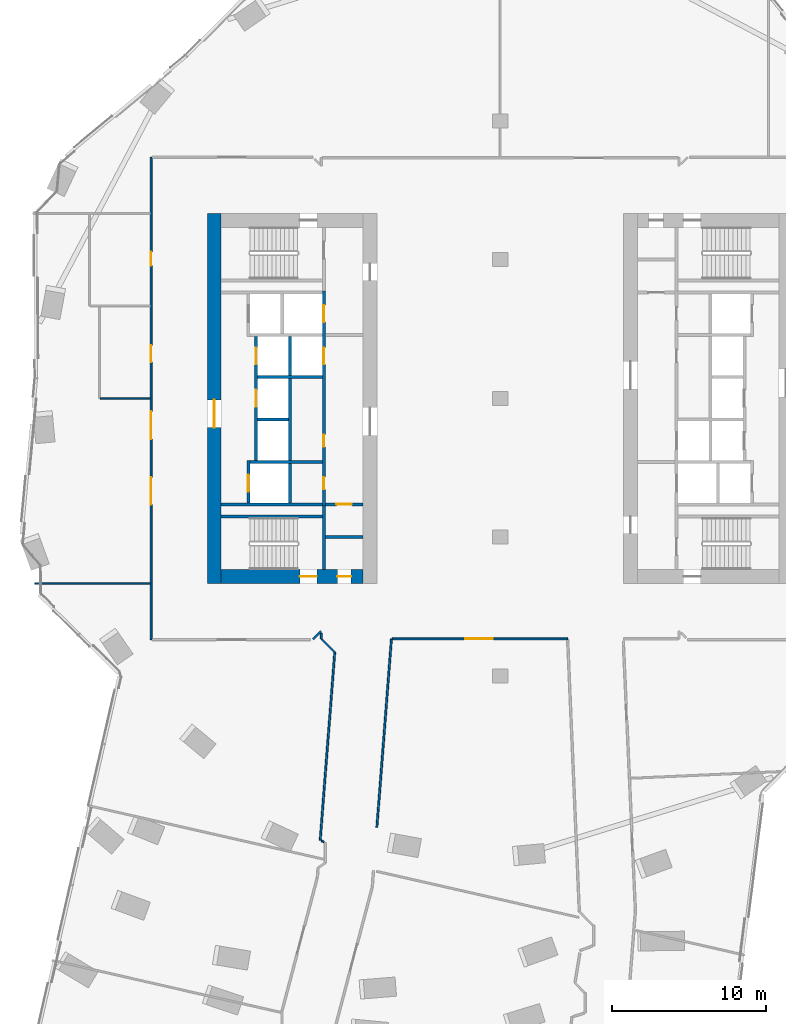
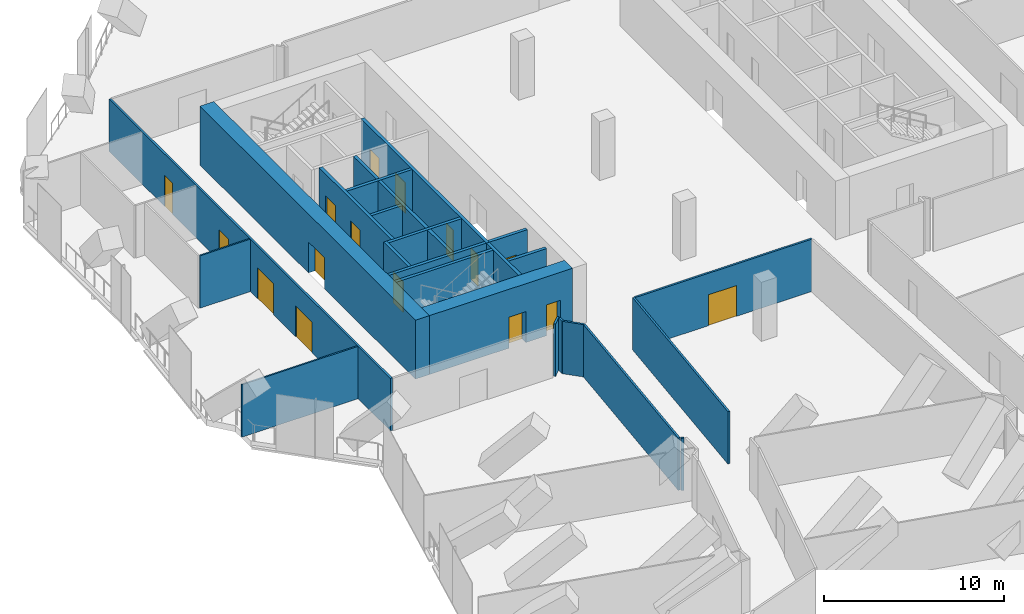
# One storey, part 22 of 29: 26 walls, 16 doors, 16 openings.
"""IFC4 building model written with IfcOpenShell, lengths in metres."""

from ifc_helpers import new_model, si_unit, direction, frame, frame_2d, origin, place, context, subcontext, project, spatial, rectangle, extrude, material, layer, layer_set, type_object, element, fill, save


model = new_model("IFC4")

# Units and contexts
model_context = context("Model", 3, precision=1e-05, world=origin(), true_north=direction((0.0, 1.0)))
body_context = subcontext(model_context, "Body", "Model", "MODEL_VIEW")
ifc_project = project(units=[si_unit("LENGTHUNIT", "METRE"), si_unit("AREAUNIT", "SQUARE_METRE"), si_unit("VOLUMEUNIT", "CUBIC_METRE"), si_unit("PLANEANGLEUNIT", "RADIAN"), si_unit("MASSUNIT", "GRAM", prefix="KILO")], contexts=[model_context])

# Site, building, storey
site_placement = place(None, origin())
site = spatial("IfcSite", under=ifc_project, at=site_placement, CompositionType="ELEMENT")
building_placement = place(site_placement, origin())
building = spatial("IfcBuilding", under=site, at=building_placement, Name="Orlundy Tower", CompositionType="ELEMENT")
storey_placement = place(building_placement, frame((0.0, 0.0, 184.60009765625)))
storey = spatial("IfcBuildingStorey", under=building, at=storey_placement, Name="L48", CompositionType="ELEMENT", Elevation=184.60009765625)

# Wall, openings, doors
ifc_material_1 = material(Name="Concrete C70/85", Category="concrete")
ifc_layer_1 = layer(ifc_material_1, 0.89990234375)
ifc_layer_set_1 = layer_set([ifc_layer_1], Name="CORE WALL 900 C70/85")
wall_type_1 = type_object("IfcWallType", Name="CORE WALL 900 C70/85", PredefinedType="SHEAR", material=ifc_layer_set_1)
wall_1_placement = place(storey_placement, frame((-18.10009765625, -11.550048828125, 0.0), z_axis=(0.0, 0.0, 1.0), x_axis=(1.0, 0.0, 0.0)))
wall_1 = element("IfcWall", 1, at=wall_1_placement, inside=storey, type_object=wall_type_1, Name="Core wall W-S L48", PredefinedType="SHEAR", context=body_context, shape_type="SweptSolid", body=[
    extrude(rectangle(XDim=9.2001953125, YDim=0.89990234375, at=frame_2d((4.60009765625, 0.0))), origin(), (0.0, 0.0, 1.0), 4.0),
])
opening_1_placement = place(wall_1_placement, frame((5.10009765625, 0.0, 0.0)))
opening_1 = element("IfcOpeningElement", 2, at=opening_1_placement, cuts=wall_1, Name="Opening 37013", PredefinedType="OPENING", context=body_context, shape_type="SweptSolid", body=[
    extrude(rectangle(XDim=1.10009765625, YDim=2.10009765625, at=frame_2d((0.550048828125, 1.050048828125))), frame((0.0, 0.4599609375, 0.0), z_axis=(0.0, -1.0, 0.0), x_axis=(1.0, 0.0, 0.0)), (0.0, 0.0, 1.0), 0.919921875),
])
opening_2_placement = place(wall_1_placement, frame((7.530029296875, 0.0, 0.0)))
opening_2 = element("IfcOpeningElement", 3, at=opening_2_placement, cuts=wall_1, Name="Opening 37015", PredefinedType="OPENING", context=body_context, shape_type="SweptSolid", body=[
    extrude(rectangle(XDim=0.89990234375, YDim=2.10009765625, at=frame_2d((0.449951171875, 1.050048828125))), frame((0.0, 0.4599609375, 0.0), z_axis=(0.0, -1.0, 0.0), x_axis=(1.0, 0.0, 0.0)), (0.0, 0.0, 1.0), 0.919921875),
])
ifc_material_2 = material(Name="Timber door set", Category="wood")
door_type_1 = type_object("IfcDoorType", Name="Room Door 900x2100", OperationType="SINGLE_SWING_LEFT", PredefinedType="DOOR", material=ifc_material_2)
door_1_placement = place(opening_2_placement, origin())
door_1 = element("IfcDoor", 4, at=door_1_placement, inside=storey, type_object=door_type_1, Name="Store door 37015", OperationType="SINGLE_SWING_RIGHT", OverallHeight=2.10009765625, OverallWidth=0.89990234375, PredefinedType="DOOR", context=body_context, shape_type="SweptSolid", body=[
    extrude(rectangle(XDim=0.89990234375, YDim=2.10009765625, at=frame_2d((0.449951171875, 1.050048828125))), frame((0.0, 0.02490234375, 0.0), z_axis=(0.0, -1.0, 0.0), x_axis=(1.0, 0.0, 0.0)), (0.0, 0.0, 1.0), 0.050048828125),
])
fill(opening_2, door_1)
ifc_material_3 = material(Name="Steel door set", Category="steel")
door_type_2 = type_object("IfcDoorType", Name="Stair Door 1100x2100", OperationType="SINGLE_SWING_LEFT", PredefinedType="DOOR", material=ifc_material_3)
door_2_placement = place(opening_1_placement, origin())
door_2 = element("IfcDoor", 5, at=door_2_placement, inside=storey, type_object=door_type_2, Name="Stair door 37013", OperationType="SINGLE_SWING_RIGHT", OverallHeight=2.10009765625, OverallWidth=1.10009765625, PredefinedType="DOOR", context=body_context, shape_type="SweptSolid", body=[
    extrude(rectangle(XDim=1.10009765625, YDim=2.10009765625, at=frame_2d((0.550048828125, 1.050048828125))), frame((0.0, 0.02490234375, 0.0), z_axis=(0.0, -1.0, 0.0), x_axis=(1.0, 0.0, 0.0)), (0.0, 0.0, 1.0), 0.050048828125),
])
fill(opening_1, door_2)

# Wall, opening, door
wall_2_placement = place(storey_placement, frame((-18.550048828125, -12.0, 0.0), z_axis=(0.0, 0.0, 1.0), x_axis=(0.0, 1.0, 0.0)))
wall_2 = element("IfcWall", 6, at=wall_2_placement, inside=storey, type_object=wall_type_1, Name="Core wall W-W L48", PredefinedType="SHEAR", context=body_context, shape_type="SweptSolid", body=[
    extrude(rectangle(XDim=24.0, YDim=0.89990234375, at=frame_2d((12.0, 0.0))), origin(), (0.0, 0.0, 1.0), 4.0),
])
opening_3_placement = place(wall_2_placement, frame((10.10009765625, 0.0, 0.0)))
opening_3 = element("IfcOpeningElement", 7, at=opening_3_placement, cuts=wall_2, Name="Opening 37010", PredefinedType="OPENING", context=body_context, shape_type="SweptSolid", body=[
    extrude(rectangle(XDim=1.800048828125, YDim=2.10009765625, at=frame_2d((0.89990234375, 1.050048828125))), frame((0.0, 0.4599609375, 0.0), z_axis=(0.0, -1.0, 0.0), x_axis=(1.0, 0.0, 0.0)), (0.0, 0.0, 1.0), 0.919921875),
])
ifc_material_4 = material(Name="Timber door set", Category="wood")
door_type_3 = type_object("IfcDoorType", Name="Lobby Door 1800x2100", OperationType="DOUBLE_DOOR_DOUBLE_SWING", PredefinedType="DOOR", material=ifc_material_4)
door_3_placement = place(opening_3_placement, origin())
door_3 = element("IfcDoor", 8, at=door_3_placement, inside=storey, type_object=door_type_3, Name="Lift lobby door 37010", OperationType="SINGLE_SWING_LEFT", OverallHeight=2.10009765625, OverallWidth=1.800048828125, PredefinedType="DOOR", context=body_context, shape_type="SweptSolid", body=[
    extrude(rectangle(XDim=1.800048828125, YDim=2.10009765625, at=frame_2d((0.89990234375, 1.050048828125))), frame((0.0, 0.02490234375, 0.0), z_axis=(0.0, -1.0, 0.0), x_axis=(1.0, 0.0, 0.0)), (0.0, 0.0, 1.0), 0.050048828125),
])
fill(opening_3, door_3)

# Walls
ifc_material_5 = material(Name="Gypsum board partition")
ifc_layer_2 = layer(ifc_material_5, 0.10009765625)
ifc_layer_set_2 = layer_set([ifc_layer_2], Name="Floor partition 100")
wall_type_2 = type_object("IfcWallType", Name="Floor partition 100", PredefinedType="PARTITIONING", material=ifc_layer_set_2)
wall_3_placement = place(storey_placement, frame((-30.179931640625, -12.0, 0.0), z_axis=(0.0, 0.0, 1.0), x_axis=(1.0, 0.0, 0.0)))
element("IfcWall", 9, at=wall_3_placement, inside=storey, type_object=wall_type_2, Name="wall-int-L48-038", PredefinedType="PARTITIONING", context=body_context, shape_type="SweptSolid", body=[
    extrude(rectangle(XDim=7.468017578125, YDim=0.10009765625, at=frame_2d((3.73388671875, 0.0))), origin(), (0.0, 0.0, 1.0), 3.559814453125),
])
wall_4_placement = place(storey_placement, frame((-25.930908203125, 0.0009765625, 0.0), z_axis=(0.0, 0.0, 1.0), x_axis=(1.0, 0.0, 0.0)))
element("IfcWall", 10, at=wall_4_placement, inside=storey, type_object=wall_type_2, Name="wall-int-L48-040", PredefinedType="PARTITIONING", context=body_context, shape_type="SweptSolid", body=[
    extrude(rectangle(XDim=3.218994140625, YDim=0.10009765625, at=frame_2d((1.609375, 0.0))), origin(), (0.0, 0.0, 1.0), 3.559814453125),
])
ifc_material_6 = material(Name="Gypsum board partition, double layer")
ifc_layer_3 = layer(ifc_material_6, 0.125)
ifc_layer_set_3 = layer_set([ifc_layer_3], Name="Floor partition 125")
wall_type_3 = type_object("IfcWallType", Name="Floor partition 125", PredefinedType="PARTITIONING", material=ifc_layer_set_3)
wall_5_placement = place(storey_placement, frame((-11.60107421875, -15.241943359375, 0.0), z_axis=(0.0, 0.0, 1.0), x_axis=(0.002726642898, -0.999996282702, 0.0)))
element("IfcWall", 11, at=wall_5_placement, inside=storey, type_object=wall_type_3, Name="wall-int-L48-001", PredefinedType="PARTITIONING", context=body_context, shape_type="SweptSolid", body=[
    extrude(rectangle(XDim=0.358154296875, YDim=0.125, at=frame_2d((0.17919921875, 0.0))), origin(), (0.0, 0.0, 1.0), 3.559814453125),
])
wall_6_placement = place(storey_placement, frame((-11.593994140625, -28.701904296875, 0.0), z_axis=(0.0, 0.0, 1.0), x_axis=(0.905065675152, -0.425271823264, 0.0)))
element("IfcWall", 12, at=wall_6_placement, inside=storey, type_object=wall_type_3, Name="wall-int-L48-010", PredefinedType="PARTITIONING", context=body_context, shape_type="SweptSolid", body=[
    extrude(rectangle(XDim=0.17919921875, YDim=0.125, at=frame_2d((0.089599609375, 0.0))), origin(), (0.0, 0.0, 1.0), 3.559814453125),
])
wall_7_placement = place(storey_placement, frame((-11.60009765625, -15.60009765625, 0.0), z_axis=(0.0, 0.0, 1.0), x_axis=(0.706410369808, -0.707802507361, 0.0)))
element("IfcWall", 13, at=wall_7_placement, inside=storey, type_object=wall_type_3, Name="wall-int-L48-035", PredefinedType="PARTITIONING", context=body_context, shape_type="SweptSolid", body=[
    extrude(rectangle(XDim=1.2275390625, YDim=0.125, at=frame_2d((0.61376953125, 0.0))), origin(), (0.0, 0.0, 1.0), 3.559814453125),
])

# Wall, opening, door
wall_8_placement = place(storey_placement, frame((4.3740234375, -15.60009765625, 0.0), z_axis=(0.0, 0.0, 1.0), x_axis=(-1.0, 0.0, 0.0)))
wall_8 = element("IfcWall", 14, at=wall_8_placement, inside=storey, type_object=wall_type_3, Name="wall-int-L48-036", PredefinedType="PARTITIONING", context=body_context, shape_type="SweptSolid", body=[
    extrude(rectangle(XDim=11.365966796875, YDim=0.125, at=frame_2d((5.68310546875, 0.0))), origin(), (0.0, 0.0, 1.0), 3.559814453125),
])
opening_4_placement = place(wall_8_placement, frame((4.85009765625, 0.0, 0.0)))
opening_4 = element("IfcOpeningElement", 15, at=opening_4_placement, cuts=wall_8, Name="Opening 37111", PredefinedType="OPENING", context=body_context, shape_type="SweptSolid", body=[
    extrude(rectangle(XDim=1.800048828125, YDim=2.10009765625, at=frame_2d((0.89990234375, 1.050048828125))), frame((0.0, 0.072509765625, 0.0), z_axis=(0.0, -1.0, 0.0), x_axis=(1.0, 0.0, 0.0)), (0.0, 0.0, 1.0), 0.14501953125),
])
ifc_material_7 = material(Name="Timber door leaf", Category="wood")
door_type_4 = type_object("IfcDoorType", Name="Floor door double 1800 FD30S", OperationType="NOTDEFINED", PredefinedType="DOOR", material=ifc_material_7)
door_4_placement = place(opening_4_placement, origin())
door_4 = element("IfcDoor", 16, at=door_4_placement, inside=storey, type_object=door_type_4, Name="Door 37111", OperationType="DOUBLE_DOOR_SINGLE_SWING", OverallHeight=2.10009765625, OverallWidth=1.800048828125, PredefinedType="DOOR", context=body_context, shape_type="SweptSolid", body=[
    extrude(rectangle(XDim=1.800048828125, YDim=2.10009765625, at=frame_2d((0.89990234375, 1.050048828125))), frame((0.0, 0.02490234375, 0.0), z_axis=(0.0, -1.0, 0.0), x_axis=(1.0, 0.0, 0.0)), (0.0, 0.0, 1.0), 0.050048828125),
])
fill(opening_4, door_4)

# Walls
wall_9_placement = place(storey_placement, frame((-12.153076171875, -15.631103515625, 0.0), z_axis=(0.0, 0.0, 1.0), x_axis=(0.707106781187, 0.707106781187, 0.0)))
element("IfcWall", 17, at=wall_9_placement, inside=storey, type_object=wall_type_3, Name="wall-int-L48-059", PredefinedType="PARTITIONING", context=body_context, shape_type="SweptSolid", body=[
    extrude(rectangle(XDim=0.7509765625, YDim=0.125, at=frame_2d((0.37548828125, 0.0))), origin(), (0.0, 0.0, 1.0), 3.559814453125),
])
wall_10_placement = place(storey_placement, frame((-8.0, -27.8291015625, 0.0), z_axis=(0.0, 0.0, 1.0), x_axis=(0.077130294649, 0.997021021668, 0.0)))
element("IfcWall", 18, at=wall_10_placement, inside=storey, type_object=wall_type_3, Name="wall-int-L48-078", PredefinedType="PARTITIONING", context=body_context, shape_type="SweptSolid", body=[
    extrude(rectangle(XDim=12.265625, YDim=0.125, at=frame_2d((6.1328125, 0.0))), origin(), (0.0, 0.0, 1.0), 3.559814453125),
])
wall_11_placement = place(storey_placement, frame((-11.677001953125, -28.6640625, 0.0), z_axis=(0.0, 0.0, 1.0), x_axis=(0.077184920093, 0.997016794297, 0.0)))
element("IfcWall", 19, at=wall_11_placement, inside=storey, type_object=wall_type_3, Name="wall-int-L48-079", PredefinedType="PARTITIONING", context=body_context, shape_type="SweptSolid", body=[
    extrude(rectangle(XDim=12.2314453125, YDim=0.125, at=frame_2d((6.11572265625, 0.0))), origin(), (0.0, 0.0, 1.0), 3.559814453125),
])

# Wall, openings, doors
wall_12_placement = place(storey_placement, frame((-22.64990234375, -15.65087890625, 0.0), z_axis=(0.0, 0.0, 1.0), x_axis=(0.0, 1.0, 0.0)))
wall_12 = element("IfcWall", 20, at=wall_12_placement, inside=storey, type_object=wall_type_3, Name="wall-int-L48-095", PredefinedType="PARTITIONING", context=body_context, shape_type="SweptSolid", body=[
    extrude(rectangle(XDim=31.3017578125, YDim=0.125, at=frame_2d((15.65087890625, 0.0))), origin(), (0.0, 0.0, 1.0), 3.559814453125),
])
opening_5_placement = place(wall_12_placement, frame((8.7509765625, 0.0, 0.0)))
opening_5 = element("IfcOpeningElement", 21, at=opening_5_placement, cuts=wall_12, Name="Opening 37108", PredefinedType="OPENING", context=body_context, shape_type="SweptSolid", body=[
    extrude(rectangle(XDim=1.800048828125, YDim=2.10009765625, at=frame_2d((0.89990234375, 1.050048828125))), frame((0.0, 0.072509765625, 0.0), z_axis=(0.0, -1.0, 0.0), x_axis=(1.0, 0.0, 0.0)), (0.0, 0.0, 1.0), 0.14501953125),
])
opening_6_placement = place(wall_12_placement, frame((13.0009765625, 0.0, 0.0)))
opening_6 = element("IfcOpeningElement", 22, at=opening_6_placement, cuts=wall_12, Name="Opening 37109", PredefinedType="OPENING", context=body_context, shape_type="SweptSolid", body=[
    extrude(rectangle(XDim=1.800048828125, YDim=2.10009765625, at=frame_2d((0.89990234375, 1.050048828125))), frame((0.0, 0.072509765625, 0.0), z_axis=(0.0, -1.0, 0.0), x_axis=(1.0, 0.0, 0.0)), (0.0, 0.0, 1.0), 0.14501953125),
])
opening_7_placement = place(wall_12_placement, frame((24.251953125, 0.0, 0.0)))
opening_7 = element("IfcOpeningElement", 23, at=opening_7_placement, cuts=wall_12, Name="Opening 37119", PredefinedType="OPENING", context=body_context, shape_type="SweptSolid", body=[
    extrude(rectangle(XDim=0.89990234375, YDim=2.10009765625, at=frame_2d((0.449951171875, 1.050048828125))), frame((0.0, 0.072509765625, 0.0), z_axis=(0.0, -1.0, 0.0), x_axis=(1.0, 0.0, 0.0)), (0.0, 0.0, 1.0), 0.14501953125),
])
opening_8_placement = place(wall_12_placement, frame((18.0029296875, 0.0, 0.0)))
opening_8 = element("IfcOpeningElement", 24, at=opening_8_placement, cuts=wall_12, Name="Opening 37120", PredefinedType="OPENING", context=body_context, shape_type="SweptSolid", body=[
    extrude(rectangle(XDim=1.10009765625, YDim=2.10009765625, at=frame_2d((0.550048828125, 1.050048828125))), frame((0.0, 0.072509765625, 0.0), z_axis=(0.0, -1.0, 0.0), x_axis=(1.0, 0.0, 0.0)), (0.0, 0.0, 1.0), 0.14501953125),
])
door_5_placement = place(opening_5_placement, origin())
door_5 = element("IfcDoor", 25, at=door_5_placement, inside=storey, type_object=door_type_4, Name="Door 37108", OperationType="DOUBLE_DOOR_SINGLE_SWING", OverallHeight=2.10009765625, OverallWidth=1.800048828125, PredefinedType="DOOR", context=body_context, shape_type="SweptSolid", body=[
    extrude(rectangle(XDim=1.800048828125, YDim=2.10009765625, at=frame_2d((0.89990234375, 1.050048828125))), frame((0.0, 0.02490234375, 0.0), z_axis=(0.0, -1.0, 0.0), x_axis=(1.0, 0.0, 0.0)), (0.0, 0.0, 1.0), 0.050048828125),
])
fill(opening_5, door_5)
door_6_placement = place(opening_6_placement, origin())
door_6 = element("IfcDoor", 26, at=door_6_placement, inside=storey, type_object=door_type_4, Name="Door 37109", OperationType="DOUBLE_DOOR_SINGLE_SWING", OverallHeight=2.10009765625, OverallWidth=1.800048828125, PredefinedType="DOOR", context=body_context, shape_type="SweptSolid", body=[
    extrude(rectangle(XDim=1.800048828125, YDim=2.10009765625, at=frame_2d((0.89990234375, 1.050048828125))), frame((0.0, 0.02490234375, 0.0), z_axis=(0.0, -1.0, 0.0), x_axis=(1.0, 0.0, 0.0)), (0.0, 0.0, 1.0), 0.050048828125),
])
fill(opening_6, door_6)
ifc_material_8 = material(Name="Timber door leaf", Category="wood")
door_type_5 = type_object("IfcDoorType", Name="Floor door single 900 FD30S", OperationType="NOTDEFINED", PredefinedType="DOOR", material=ifc_material_8)
door_7_placement = place(opening_7_placement, origin())
door_7 = element("IfcDoor", 27, at=door_7_placement, inside=storey, type_object=door_type_5, Name="Door 37119", OperationType="SINGLE_SWING_RIGHT", OverallHeight=2.10009765625, OverallWidth=0.89990234375, PredefinedType="DOOR", context=body_context, shape_type="SweptSolid", body=[
    extrude(rectangle(XDim=0.89990234375, YDim=2.10009765625, at=frame_2d((0.449951171875, 1.050048828125))), frame((0.0, 0.02490234375, 0.0), z_axis=(0.0, -1.0, 0.0), x_axis=(1.0, 0.0, 0.0)), (0.0, 0.0, 1.0), 0.050048828125),
])
fill(opening_7, door_7)
ifc_material_9 = material(Name="Timber door leaf", Category="wood")
door_type_6 = type_object("IfcDoorType", Name="Floor door xwide 1100 FD30S", OperationType="NOTDEFINED", PredefinedType="DOOR", material=ifc_material_9)
door_8_placement = place(opening_8_placement, origin())
door_8 = element("IfcDoor", 28, at=door_8_placement, inside=storey, type_object=door_type_6, Name="Door 37120", OperationType="SINGLE_SWING_RIGHT", OverallHeight=2.10009765625, OverallWidth=1.10009765625, PredefinedType="DOOR", context=body_context, shape_type="SweptSolid", body=[
    extrude(rectangle(XDim=1.10009765625, YDim=2.10009765625, at=frame_2d((0.550048828125, 1.050048828125))), frame((0.0, 0.02490234375, 0.0), z_axis=(0.0, -1.0, 0.0), x_axis=(1.0, 0.0, 0.0)), (0.0, 0.0, 1.0), 0.050048828125),
])
fill(opening_8, door_8)

# Walls
ifc_material_10 = material(Name="Concrete C40/50", Category="concrete")
ifc_layer_4 = layer(ifc_material_10, 0.199951171875)
ifc_layer_set_4 = layer_set([ifc_layer_4], Name="Load-bearing Shaft Wall 200")
wall_type_4 = type_object("IfcWallType", Name="Load-bearing Shaft Wall 200", PredefinedType="SOLIDWALL", material=ifc_layer_set_4)
wall_13_placement = place(storey_placement, frame((-11.43994140625, -11.10009765625, 0.0), z_axis=(0.0, 0.0, 1.0), x_axis=(0.0, 1.0, 0.0)))
element("IfcWall", 29, at=wall_13_placement, inside=storey, type_object=wall_type_4, Name="Shaft wall W37-stair-end-s", PredefinedType="SOLIDWALL", context=body_context, shape_type="SweptSolid", body=[
    extrude(rectangle(XDim=4.125, YDim=0.199951171875, at=frame_2d((2.0625, 0.0))), origin(), (0.0, 0.0, 1.0), 3.579833984375),
])
wall_14_placement = place(storey_placement, frame((-11.5400390625, -7.64990234375, 0.0), z_axis=(0.0, 0.0, 1.0), x_axis=(-1.0, 0.0, 0.0)))
element("IfcWall", 30, at=wall_14_placement, inside=storey, type_object=wall_type_4, Name="Shaft wall W37-stair-side-s", PredefinedType="SOLIDWALL", context=body_context, shape_type="SweptSolid", body=[
    extrude(rectangle(XDim=6.56005859375, YDim=0.199951171875, at=frame_2d((3.280029296875, 0.0))), origin(), (0.0, 0.0, 1.0), 3.579833984375),
])

# Wall, opening, door
ifc_material_11 = material(Name="Gypsum board partition on steel studs", Category="steel")
ifc_layer_5 = layer(ifc_material_11, 0.199951171875)
ifc_layer_set_5 = layer_set([ifc_layer_5], Name="Partition 200")
wall_type_5 = type_object("IfcWallType", Name="Partition 200", PredefinedType="PARTITIONING", material=ifc_layer_set_5)
wall_15_placement = place(storey_placement, frame((-8.89990234375, -6.875, 0.0), z_axis=(0.0, 0.0, 1.0), x_axis=(-1.0, 0.0, 0.0)))
wall_15 = element("IfcWall", 31, at=wall_15_placement, inside=storey, type_object=wall_type_5, Name="Partition wall W37-end-s", PredefinedType="PARTITIONING", context=body_context, shape_type="SweptSolid", body=[
    extrude(rectangle(XDim=2.440185546875, YDim=0.199951171875, at=frame_2d((1.22021484375, 0.0))), origin(), (0.0, 0.0, 1.0), 3.579833984375),
])
opening_9_placement = place(wall_15_placement, frame((0.719970703125, 0.0, 0.0)))
opening_9 = element("IfcOpeningElement", 32, at=opening_9_placement, cuts=wall_15, Name="Opening 37016", PredefinedType="OPENING", context=body_context, shape_type="SweptSolid", body=[
    extrude(rectangle(XDim=1.0, YDim=2.10009765625, at=frame_2d((0.5, 1.050048828125))), frame((0.0, 0.110107421875, 0.0), z_axis=(0.0, -1.0, 0.0), x_axis=(1.0, 0.0, 0.0)), (0.0, 0.0, 1.0), 0.22021484375),
])
ifc_material_12 = material(Name="Timber door set", Category="wood")
door_type_7 = type_object("IfcDoorType", Name="Accessible Door 1000x2100", OperationType="SINGLE_SWING_LEFT", PredefinedType="DOOR", material=ifc_material_12)
door_9_placement = place(opening_9_placement, origin())
door_9 = element("IfcDoor", 33, at=door_9_placement, inside=storey, type_object=door_type_7, Name="Accessible WC door 37016", OperationType="SINGLE_SWING_RIGHT", OverallHeight=2.10009765625, OverallWidth=1.0, PredefinedType="DOOR", context=body_context, shape_type="SweptSolid", body=[
    extrude(rectangle(XDim=1.0, YDim=2.10009765625, at=frame_2d((0.5, 1.050048828125))), frame((0.0, 0.02490234375, 0.0), z_axis=(0.0, -1.0, 0.0), x_axis=(1.0, 0.0, 0.0)), (0.0, 0.0, 1.0), 0.050048828125),
])
fill(opening_9, door_9)

# Walls
wall_16_placement = place(storey_placement, frame((-8.89990234375, -9.0, 0.0), z_axis=(0.0, 0.0, 1.0), x_axis=(-1.0, 0.0, 0.0)))
element("IfcWall", 34, at=wall_16_placement, inside=storey, type_object=wall_type_5, Name="Partition wall W37-room-s0", PredefinedType="PARTITIONING", context=body_context, shape_type="SweptSolid", body=[
    extrude(rectangle(XDim=2.440185546875, YDim=0.199951171875, at=frame_2d((1.22021484375, 0.0))), origin(), (0.0, 0.0, 1.0), 3.579833984375),
])
ifc_material_13 = material(Name="Fire-rated blockwork shaft wall", Category="masonry")
ifc_layer_6 = layer(ifc_material_13, 0.199951171875)
ifc_layer_set_6 = layer_set([ifc_layer_6], Name="Shaft Wall 200")
wall_type_6 = type_object("IfcWallType", Name="Shaft Wall 200", PredefinedType="SOLIDWALL", material=ifc_layer_set_6)
wall_17_placement = place(storey_placement, frame((-11.5400390625, -6.875, 0.0), z_axis=(0.0, 0.0, 1.0), x_axis=(-1.0, 0.0, 0.0)))
element("IfcWall", 35, at=wall_17_placement, inside=storey, type_object=wall_type_6, Name="Shaft wall W37-zone-s", PredefinedType="SOLIDWALL", context=body_context, shape_type="SweptSolid", body=[
    extrude(rectangle(XDim=6.56005859375, YDim=0.199951171875, at=frame_2d((3.280029296875, 0.0))), origin(), (0.0, 0.0, 1.0), 3.579833984375),
])
wall_18_placement = place(storey_placement, frame((-11.5400390625, -4.125, 0.0), z_axis=(0.0, 0.0, 1.0), x_axis=(-1.0, 0.0, 0.0)))
element("IfcWall", 36, at=wall_18_placement, inside=storey, type_object=wall_type_6, Name="Shaft wall W37-cross-4.125", PredefinedType="SOLIDWALL", context=body_context, shape_type="SweptSolid", body=[
    extrude(rectangle(XDim=4.699951171875, YDim=0.199951171875, at=frame_2d((2.35009765625, 0.0))), origin(), (0.0, 0.0, 1.0), 3.579833984375),
])
wall_19_placement = place(storey_placement, frame((-13.739990234375, -1.375, 0.0), z_axis=(0.0, 0.0, 1.0), x_axis=(-1.0, 0.0, 0.0)))
element("IfcWall", 37, at=wall_19_placement, inside=storey, type_object=wall_type_6, Name="Shaft wall W37-cross-1.375", PredefinedType="SOLIDWALL", context=body_context, shape_type="SweptSolid", body=[
    extrude(rectangle(XDim=2.0, YDim=0.199951171875, at=frame_2d((1.0, 0.0))), origin(), (0.0, 0.0, 1.0), 3.579833984375),
])
wall_20_placement = place(storey_placement, frame((-11.5400390625, 1.375, 0.0), z_axis=(0.0, 0.0, 1.0), x_axis=(-1.0, 0.0, 0.0)))
element("IfcWall", 38, at=wall_20_placement, inside=storey, type_object=wall_type_6, Name="Shaft wall W37-cross+1.375", PredefinedType="SOLIDWALL", context=body_context, shape_type="SweptSolid", body=[
    extrude(rectangle(XDim=4.199951171875, YDim=0.199951171875, at=frame_2d((2.10009765625, 0.0))), origin(), (0.0, 0.0, 1.0), 3.579833984375),
])

# Wall, openings, doors
wall_21_placement = place(storey_placement, frame((-11.43994140625, -6.97509765625, 0.0), z_axis=(0.0, 0.0, 1.0), x_axis=(0.0, 1.0, 0.0)))
wall_21 = element("IfcWall", 39, at=wall_21_placement, inside=storey, type_object=wall_type_6, Name="Shaft wall W37-front-h", PredefinedType="SOLIDWALL", context=body_context, shape_type="SweptSolid", body=[
    extrude(rectangle(XDim=13.9501953125, YDim=0.199951171875, at=frame_2d((6.97509765625, 0.0))), origin(), (0.0, 0.0, 1.0), 3.579833984375),
])
opening_10_placement = place(wall_21_placement, frame((9.175048828125, 0.0, 0.0)))
opening_10 = element("IfcOpeningElement", 40, at=opening_10_placement, cuts=wall_21, Name="Opening 37003", PredefinedType="OPENING", context=body_context, shape_type="SweptSolid", body=[
    extrude(rectangle(XDim=1.10009765625, YDim=2.10009765625, at=frame_2d((0.550048828125, 1.050048828125))), frame((0.0, 0.110107421875, 0.0), z_axis=(0.0, -1.0, 0.0), x_axis=(1.0, 0.0, 0.0)), (0.0, 0.0, 1.0), 0.22021484375),
])
opening_11_placement = place(wall_21_placement, frame((11.925048828125, 0.0, 0.0)))
opening_11 = element("IfcOpeningElement", 41, at=opening_11_placement, cuts=wall_21, Name="Opening 37005", PredefinedType="OPENING", context=body_context, shape_type="SweptSolid", body=[
    extrude(rectangle(XDim=1.10009765625, YDim=2.10009765625, at=frame_2d((0.550048828125, 1.050048828125))), frame((0.0, 0.110107421875, 0.0), z_axis=(0.0, -1.0, 0.0), x_axis=(1.0, 0.0, 0.0)), (0.0, 0.0, 1.0), 0.22021484375),
])
opening_12_placement = place(wall_21_placement, frame((1.074951171875, 0.0, 0.0)))
opening_12 = element("IfcOpeningElement", 42, at=opening_12_placement, cuts=wall_21, Name="Opening 37007", PredefinedType="OPENING", context=body_context, shape_type="SweptSolid", body=[
    extrude(rectangle(XDim=0.800048828125, YDim=2.10009765625, at=frame_2d((0.39990234375, 1.050048828125))), frame((0.0, 0.110107421875, 0.0), z_axis=(0.0, -1.0, 0.0), x_axis=(1.0, 0.0, 0.0)), (0.0, 0.0, 1.0), 0.22021484375),
])
opening_13_placement = place(wall_21_placement, frame((3.824951171875, 0.0, 0.0)))
opening_13 = element("IfcOpeningElement", 43, at=opening_13_placement, cuts=wall_21, Name="Opening 37008", PredefinedType="OPENING", context=body_context, shape_type="SweptSolid", body=[
    extrude(rectangle(XDim=0.800048828125, YDim=2.10009765625, at=frame_2d((0.39990234375, 1.050048828125))), frame((0.0, 0.110107421875, 0.0), z_axis=(0.0, -1.0, 0.0), x_axis=(1.0, 0.0, 0.0)), (0.0, 0.0, 1.0), 0.22021484375),
])
ifc_material_14 = material(Name="Steel door set", Category="steel")
door_type_8 = type_object("IfcDoorType", Name="Landing Door 1100x2100", OperationType="DOUBLE_DOOR_SLIDING", PredefinedType="DOOR", material=ifc_material_14)
door_10_placement = place(opening_10_placement, origin())
door_10 = element("IfcDoor", 44, at=door_10_placement, inside=storey, type_object=door_type_8, Name="Lift landing door LP-12 37003", OperationType="DOUBLE_DOOR_SLIDING", OverallHeight=2.10009765625, OverallWidth=1.10009765625, PredefinedType="DOOR", context=body_context, shape_type="SweptSolid", body=[
    extrude(rectangle(XDim=1.10009765625, YDim=2.10009765625, at=frame_2d((0.550048828125, 1.050048828125))), frame((0.0, 0.02490234375, 0.0), z_axis=(0.0, -1.0, 0.0), x_axis=(1.0, 0.0, 0.0)), (0.0, 0.0, 1.0), 0.050048828125),
])
fill(opening_10, door_10)
door_11_placement = place(opening_11_placement, origin())
door_11 = element("IfcDoor", 45, at=door_11_placement, inside=storey, type_object=door_type_8, Name="Lift landing door FL1 37005", OperationType="DOUBLE_DOOR_SLIDING", OverallHeight=2.10009765625, OverallWidth=1.10009765625, PredefinedType="DOOR", context=body_context, shape_type="SweptSolid", body=[
    extrude(rectangle(XDim=1.10009765625, YDim=2.10009765625, at=frame_2d((0.550048828125, 1.050048828125))), frame((0.0, 0.02490234375, 0.0), z_axis=(0.0, -1.0, 0.0), x_axis=(1.0, 0.0, 0.0)), (0.0, 0.0, 1.0), 0.050048828125),
])
fill(opening_11, door_11)
ifc_material_15 = material(Name="Timber door set", Category="wood")
door_type_9 = type_object("IfcDoorType", Name="Riser Door 800x2100", OperationType="SINGLE_SWING_LEFT", PredefinedType="DOOR", material=ifc_material_15)
door_12_placement = place(opening_12_placement, origin())
door_12 = element("IfcDoor", 46, at=door_12_placement, inside=storey, type_object=door_type_9, Name="Pantry Store door 37007", OperationType="SINGLE_SWING_LEFT", OverallHeight=2.10009765625, OverallWidth=0.800048828125, PredefinedType="DOOR", context=body_context, shape_type="SweptSolid", body=[
    extrude(rectangle(XDim=0.800048828125, YDim=2.10009765625, at=frame_2d((0.39990234375, 1.050048828125))), frame((0.0, 0.02490234375, 0.0), z_axis=(0.0, -1.0, 0.0), x_axis=(1.0, 0.0, 0.0)), (0.0, 0.0, 1.0), 0.050048828125),
])
fill(opening_12, door_12)
door_13_placement = place(opening_13_placement, origin())
door_13 = element("IfcDoor", 47, at=door_13_placement, inside=storey, type_object=door_type_9, Name="AV Store door 37008", OperationType="SINGLE_SWING_LEFT", OverallHeight=2.10009765625, OverallWidth=0.800048828125, PredefinedType="DOOR", context=body_context, shape_type="SweptSolid", body=[
    extrude(rectangle(XDim=0.800048828125, YDim=2.10009765625, at=frame_2d((0.39990234375, 1.050048828125))), frame((0.0, 0.02490234375, 0.0), z_axis=(0.0, -1.0, 0.0), x_axis=(1.0, 0.0, 0.0)), (0.0, 0.0, 1.0), 0.050048828125),
])
fill(opening_13, door_13)

# Walls
wall_22_placement = place(storey_placement, frame((-13.639892578125, -6.77490234375, 0.0), z_axis=(0.0, 0.0, 1.0), x_axis=(0.0, 1.0, 0.0)))
element("IfcWall", 48, at=wall_22_placement, inside=storey, type_object=wall_type_6, Name="Shaft wall W37-mid-a", PredefinedType="SOLIDWALL", context=body_context, shape_type="SweptSolid", body=[
    extrude(rectangle(XDim=2.5498046875, YDim=0.199951171875, at=frame_2d((1.27490234375, 0.0))), origin(), (0.0, 0.0, 1.0), 3.579833984375),
])
wall_23_placement = place(storey_placement, frame((-13.639892578125, -4.02490234375, 0.0), z_axis=(0.0, 0.0, 1.0), x_axis=(0.0, 1.0, 0.0)))
element("IfcWall", 49, at=wall_23_placement, inside=storey, type_object=wall_type_6, Name="Shaft wall W37-mid-a.1", PredefinedType="SOLIDWALL", context=body_context, shape_type="SweptSolid", body=[
    extrude(rectangle(XDim=5.2998046875, YDim=0.199951171875, at=frame_2d((2.64990234375, 0.0))), origin(), (0.0, 0.0, 1.0), 3.579833984375),
])
wall_24_placement = place(storey_placement, frame((-13.639892578125, 1.47509765625, 0.0), z_axis=(0.0, 0.0, 1.0), x_axis=(0.0, 1.0, 0.0)))
element("IfcWall", 50, at=wall_24_placement, inside=storey, type_object=wall_type_6, Name="Shaft wall W37-mid-a.2", PredefinedType="SOLIDWALL", context=body_context, shape_type="SweptSolid", body=[
    extrude(rectangle(XDim=2.5498046875, YDim=0.199951171875, at=frame_2d((1.27490234375, 0.0))), origin(), (0.0, 0.0, 1.0), 3.579833984375),
])

# Wall, opening, door
wall_25_placement = place(storey_placement, frame((-16.340087890625, -6.77490234375, 0.0), z_axis=(0.0, 0.0, 1.0), x_axis=(0.0, 1.0, 0.0)))
wall_25 = element("IfcWall", 51, at=wall_25_placement, inside=storey, type_object=wall_type_6, Name="Shaft wall W37-front-o-a", PredefinedType="SOLIDWALL", context=body_context, shape_type="SweptSolid", body=[
    extrude(rectangle(XDim=2.75, YDim=0.199951171875, at=frame_2d((1.375, 0.0))), origin(), (0.0, 0.0, 1.0), 3.579833984375),
])
opening_14_placement = place(wall_25_placement, frame((0.72509765625, 0.0, 0.0)))
opening_14 = element("IfcOpeningElement", 52, at=opening_14_placement, cuts=wall_25, Name="Opening 37001", PredefinedType="OPENING", context=body_context, shape_type="SweptSolid", body=[
    extrude(rectangle(XDim=1.10009765625, YDim=2.10009765625, at=frame_2d((0.550048828125, 1.050048828125))), frame((0.0, 0.110107421875, 0.0), z_axis=(0.0, -1.0, 0.0), x_axis=(1.0, 0.0, 0.0)), (0.0, 0.0, 1.0), 0.22021484375),
])
door_14_placement = place(opening_14_placement, origin())
door_14 = element("IfcDoor", 53, at=door_14_placement, inside=storey, type_object=door_type_8, Name="Lift landing door LV-01 37001", OperationType="DOUBLE_DOOR_SLIDING", OverallHeight=2.10009765625, OverallWidth=1.10009765625, PredefinedType="DOOR", context=body_context, shape_type="SweptSolid", body=[
    extrude(rectangle(XDim=1.10009765625, YDim=2.10009765625, at=frame_2d((0.550048828125, 1.050048828125))), frame((0.0, 0.02490234375, 0.0), z_axis=(0.0, -1.0, 0.0), x_axis=(1.0, 0.0, 0.0)), (0.0, 0.0, 1.0), 0.050048828125),
])
fill(opening_14, door_14)

# Wall, openings, doors
wall_26_placement = place(storey_placement, frame((-15.840087890625, -4.02490234375, 0.0), z_axis=(0.0, 0.0, 1.0), x_axis=(0.0, 1.0, 0.0)))
wall_26 = element("IfcWall", 54, at=wall_26_placement, inside=storey, type_object=wall_type_6, Name="Shaft wall W37-front-o-b", PredefinedType="SOLIDWALL", context=body_context, shape_type="SweptSolid", body=[
    extrude(rectangle(XDim=8.0498046875, YDim=0.199951171875, at=frame_2d((4.02490234375, 0.0))), origin(), (0.0, 0.0, 1.0), 3.579833984375),
])
opening_15_placement = place(wall_26_placement, frame((3.47509765625, 0.0, 0.0)))
opening_15 = element("IfcOpeningElement", 55, at=opening_15_placement, cuts=wall_26, Name="Opening 37002", PredefinedType="OPENING", context=body_context, shape_type="SweptSolid", body=[
    extrude(rectangle(XDim=1.10009765625, YDim=2.10009765625, at=frame_2d((0.550048828125, 1.050048828125))), frame((0.0, 0.110107421875, 0.0), z_axis=(0.0, -1.0, 0.0), x_axis=(1.0, 0.0, 0.0)), (0.0, 0.0, 1.0), 0.22021484375),
])
opening_16_placement = place(wall_26_placement, frame((6.22509765625, 0.0, 0.0)))
opening_16 = element("IfcOpeningElement", 56, at=opening_16_placement, cuts=wall_26, Name="Opening 37004", PredefinedType="OPENING", context=body_context, shape_type="SweptSolid", body=[
    extrude(rectangle(XDim=1.10009765625, YDim=2.10009765625, at=frame_2d((0.550048828125, 1.050048828125))), frame((0.0, 0.110107421875, 0.0), z_axis=(0.0, -1.0, 0.0), x_axis=(1.0, 0.0, 0.0)), (0.0, 0.0, 1.0), 0.22021484375),
])
door_15_placement = place(opening_15_placement, origin())
door_15 = element("IfcDoor", 57, at=door_15_placement, inside=storey, type_object=door_type_8, Name="Lift landing door LP-11 37002", OperationType="DOUBLE_DOOR_SLIDING", OverallHeight=2.10009765625, OverallWidth=1.10009765625, PredefinedType="DOOR", context=body_context, shape_type="SweptSolid", body=[
    extrude(rectangle(XDim=1.10009765625, YDim=2.10009765625, at=frame_2d((0.550048828125, 1.050048828125))), frame((0.0, 0.02490234375, 0.0), z_axis=(0.0, -1.0, 0.0), x_axis=(1.0, 0.0, 0.0)), (0.0, 0.0, 1.0), 0.050048828125),
])
fill(opening_15, door_15)
door_16_placement = place(opening_16_placement, origin())
door_16 = element("IfcDoor", 58, at=door_16_placement, inside=storey, type_object=door_type_8, Name="Lift landing door LP-13 37004", OperationType="DOUBLE_DOOR_SLIDING", OverallHeight=2.10009765625, OverallWidth=1.10009765625, PredefinedType="DOOR", context=body_context, shape_type="SweptSolid", body=[
    extrude(rectangle(XDim=1.10009765625, YDim=2.10009765625, at=frame_2d((0.550048828125, 1.050048828125))), frame((0.0, 0.02490234375, 0.0), z_axis=(0.0, -1.0, 0.0), x_axis=(1.0, 0.0, 0.0)), (0.0, 0.0, 1.0), 0.050048828125),
])
fill(opening_16, door_16)

save(model, "model.ifc")
